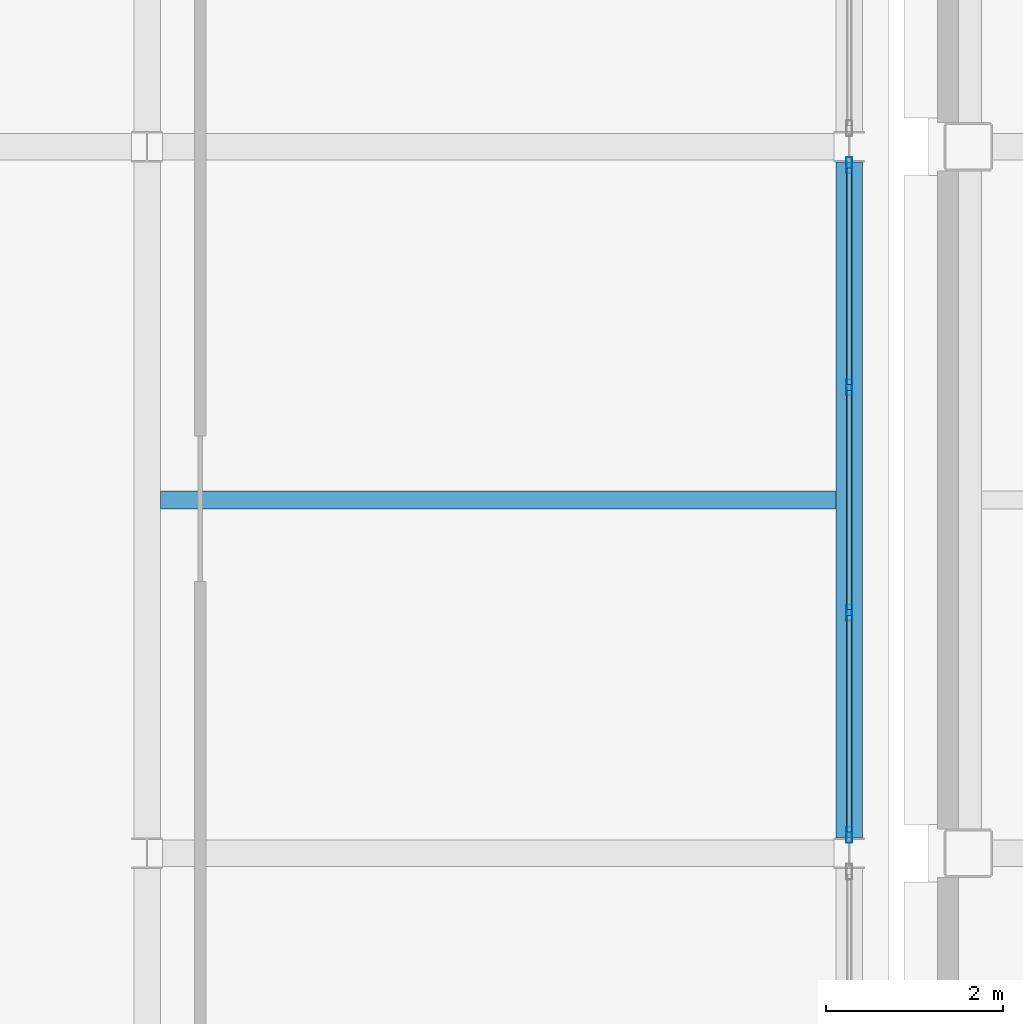
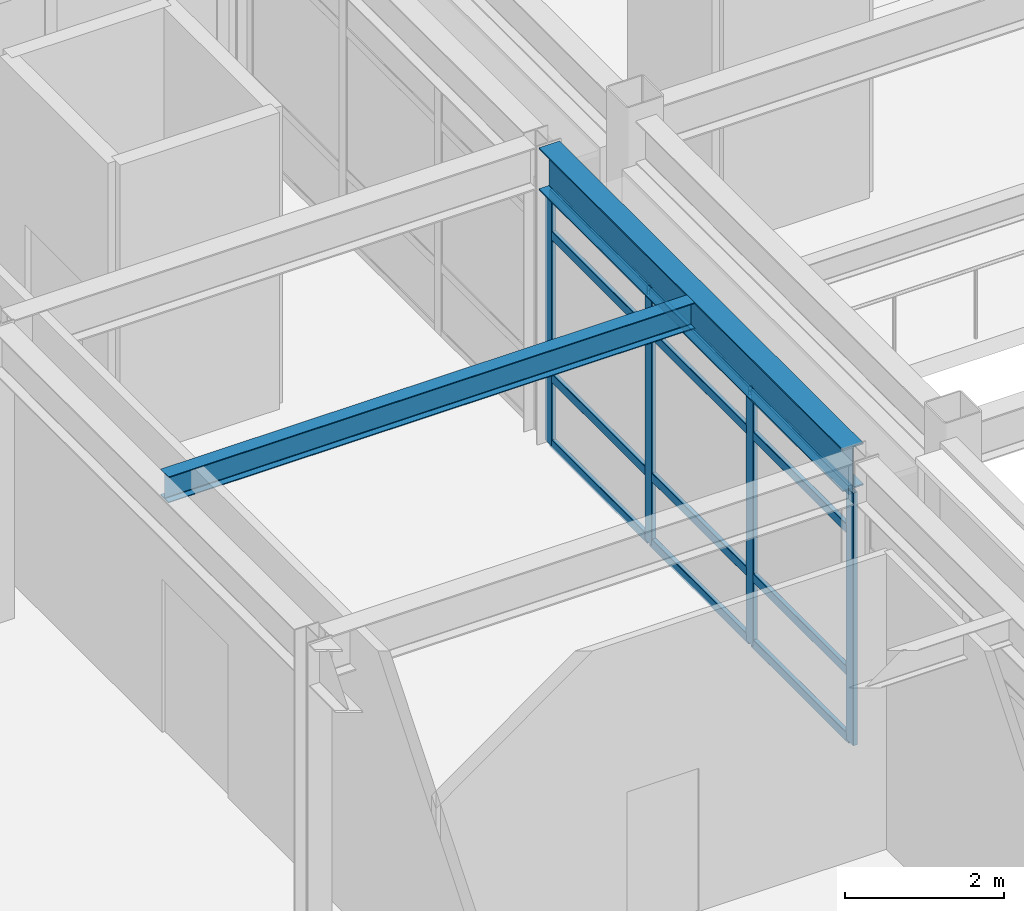
# One storey, part 20 of 154: 16 members, 2 beams, 1 element without a shape of its own.
"""IFC4 building model written with IfcOpenShell, lengths in metres."""

from ifc_helpers import new_model, si_unit, direction, frame, origin, origin_2d, place, context, subcontext, project, spatial, hollow_rectangle, i_section, extrude, material, layer, layer_set, material_profile, profile_set, type_object, element, aggregate, save


model = new_model("IFC4")

# Units and contexts
model_context = context("Model", 3, precision=1e-05, world=origin(), true_north=direction((0.0, 1.0)))
body_context = subcontext(model_context, "Body", "Model", "MODEL_VIEW")
ifc_project = project(units=[si_unit("LENGTHUNIT", "METRE"), si_unit("AREAUNIT", "SQUARE_METRE"), si_unit("VOLUMEUNIT", "CUBIC_METRE"), si_unit("PLANEANGLEUNIT", "RADIAN"), si_unit("MASSUNIT", "GRAM", prefix="KILO")], contexts=[model_context])

# Site, building, storey
site_placement = place(None, origin())
site = spatial("IfcSite", under=ifc_project, at=site_placement, CompositionType="ELEMENT")
building_placement = place(site_placement, origin())
building = spatial("IfcBuilding", under=site, at=building_placement, Name="Kazehara Bluff Congress Hotel", CompositionType="ELEMENT")
storey_placement = place(building_placement, frame((0.0, 0.0, 10.199951171875)))
storey = spatial("IfcBuildingStorey", under=building, at=storey_placement, Name="L02", CompositionType="ELEMENT", Elevation=10.199951171875)

# Curtain wall, members
ifc_material_1 = material(Name="Anodised aluminium", Category="aluminium")
ifc_layer = layer(ifc_material_1, 0.159912109375)
ifc_layer_set = layer_set([ifc_layer], Name="Anodised aluminium")
curtain_wall_type = type_object("IfcCurtainWallType", Name="TP-CW-22", PredefinedType="NOTDEFINED", material=ifc_layer_set)
curtain_wall_placement = place(storey_placement, origin())
curtain_wall = element("IfcCurtainWall", 1, at=curtain_wall_placement, inside=storey, type_object=curtain_wall_type, Name="L02 curtain wall CW-22 CW-V2-L02-X5835-2418", PredefinedType="NOTDEFINED")
ifc_material_2 = material(Name="Anodised aluminium", Category="aluminium")
ifc_material_profile_1 = material_profile(ifc_material_2, hollow_rectangle(XDim=0.06494140625, YDim=0.179931640625, WallThickness=0.00390625, InnerFilletRadius=0.00390625, OuterFilletRadius=0.008056640625, at=origin_2d()))
ifc_profile_set_1 = profile_set([ifc_material_profile_1], Name="Anodised aluminium")
member_type_1 = type_object("IfcMemberType", Name="TP-CWM-02", PredefinedType="MULLION", material=ifc_profile_set_1)
member_1_placement = place(storey_placement, frame((58.35009765625, 24.20751953125, 0.0), z_axis=(0.0, 0.0, 1.0), x_axis=(-1.0, 0.0, 0.0)))
member_1 = element("IfcMember", 2, at=member_1_placement, type_object=member_type_1, Name="CW-22 mullion 1", PredefinedType="MULLION", context=body_context, shape_type="SweptSolid", body=[
    extrude(hollow_rectangle(XDim=0.06494140625, YDim=0.179931640625, WallThickness=0.00390625, InnerFilletRadius=0.00390625, OuterFilletRadius=0.008056640625, at=origin_2d()), origin(), (0.0, 0.0, 1.0), 3.885009765625),
])
member_2_placement = place(storey_placement, frame((58.35009765625, 26.72509765625, 0.0), z_axis=(0.0, 0.0, 1.0), x_axis=(-1.0, 0.0, 0.0)))
member_2 = element("IfcMember", 3, at=member_2_placement, type_object=member_type_1, Name="CW-22 mullion 2", PredefinedType="MULLION", context=body_context, shape_type="SweptSolid", body=[
    extrude(hollow_rectangle(XDim=0.06494140625, YDim=0.179931640625, WallThickness=0.00390625, InnerFilletRadius=0.00390625, OuterFilletRadius=0.008056640625, at=origin_2d()), origin(), (0.0, 0.0, 1.0), 3.885009765625),
])
member_3_placement = place(storey_placement, frame((58.35009765625, 29.27490234375, 0.0), z_axis=(0.0, 0.0, 1.0), x_axis=(-1.0, 0.0, 0.0)))
member_3 = element("IfcMember", 4, at=member_3_placement, type_object=member_type_1, Name="CW-22 mullion 3", PredefinedType="MULLION", context=body_context, shape_type="SweptSolid", body=[
    extrude(hollow_rectangle(XDim=0.06494140625, YDim=0.179931640625, WallThickness=0.00390625, InnerFilletRadius=0.00390625, OuterFilletRadius=0.008056640625, at=origin_2d()), origin(), (0.0, 0.0, 1.0), 3.885009765625),
])
member_4_placement = place(storey_placement, frame((58.35009765625, 31.79248046875, 0.0), z_axis=(0.0, 0.0, 1.0), x_axis=(-1.0, 0.0, 0.0)))
member_4 = element("IfcMember", 5, at=member_4_placement, type_object=member_type_1, Name="CW-22 mullion 4", PredefinedType="MULLION", context=body_context, shape_type="SweptSolid", body=[
    extrude(hollow_rectangle(XDim=0.06494140625, YDim=0.179931640625, WallThickness=0.00390625, InnerFilletRadius=0.00390625, OuterFilletRadius=0.008056640625, at=origin_2d()), origin(), (0.0, 0.0, 1.0), 3.885009765625),
])
ifc_material_3 = material(Name="Anodised aluminium", Category="aluminium")
ifc_material_profile_2 = material_profile(ifc_material_3, hollow_rectangle(XDim=0.06494140625, YDim=0.139892578125, WallThickness=0.00390625, InnerFilletRadius=0.00390625, OuterFilletRadius=0.008056640625, at=origin_2d()))
ifc_profile_set_2 = profile_set([ifc_material_profile_2], Name="Anodised aluminium")
member_type_2 = type_object("IfcMemberType", Name="TP-CWT-02", PredefinedType="USERDEFINED", material=ifc_profile_set_2)
member_5_placement = place(storey_placement, frame((58.35009765625, 24.239990234375, 0.032470703125), z_axis=(0.0, 1.0, 0.0), x_axis=(-1.0, 0.0, 0.0)))
member_5 = element("IfcMember", 6, at=member_5_placement, type_object=member_type_2, Name="CW-22 transom 1.1", ObjectType="TRANSOM", PredefinedType="USERDEFINED", context=body_context, shape_type="SweptSolid", body=[
    extrude(hollow_rectangle(XDim=0.06494140625, YDim=0.139892578125, WallThickness=0.00390625, InnerFilletRadius=0.00390625, OuterFilletRadius=0.008056640625, at=origin_2d()), origin(), (0.0, 0.0, 1.0), 2.452392578125),
])
member_6_placement = place(storey_placement, frame((58.35009765625, 24.239990234375, 1.050048828125), z_axis=(0.0, 1.0, 0.0), x_axis=(-1.0, 0.0, 0.0)))
member_6 = element("IfcMember", 7, at=member_6_placement, type_object=member_type_2, Name="CW-22 transom 1.2", ObjectType="TRANSOM", PredefinedType="USERDEFINED", context=body_context, shape_type="SweptSolid", body=[
    extrude(hollow_rectangle(XDim=0.06494140625, YDim=0.139892578125, WallThickness=0.00390625, InnerFilletRadius=0.00390625, OuterFilletRadius=0.008056640625, at=origin_2d()), origin(), (0.0, 0.0, 1.0), 2.452392578125),
])
member_7_placement = place(storey_placement, frame((58.35009765625, 24.239990234375, 3.235107421875), z_axis=(0.0, 1.0, 0.0), x_axis=(-1.0, 0.0, 0.0)))
member_7 = element("IfcMember", 8, at=member_7_placement, type_object=member_type_2, Name="CW-22 transom 1.3", ObjectType="TRANSOM", PredefinedType="USERDEFINED", context=body_context, shape_type="SweptSolid", body=[
    extrude(hollow_rectangle(XDim=0.06494140625, YDim=0.139892578125, WallThickness=0.00390625, InnerFilletRadius=0.00390625, OuterFilletRadius=0.008056640625, at=origin_2d()), origin(), (0.0, 0.0, 1.0), 2.452392578125),
])
member_8_placement = place(storey_placement, frame((58.35009765625, 24.239990234375, 3.8525390625), z_axis=(0.0, 1.0, 0.0), x_axis=(-1.0, 0.0, 0.0)))
member_8 = element("IfcMember", 9, at=member_8_placement, type_object=member_type_2, Name="CW-22 transom 1.4", ObjectType="TRANSOM", PredefinedType="USERDEFINED", context=body_context, shape_type="SweptSolid", body=[
    extrude(hollow_rectangle(XDim=0.06494140625, YDim=0.139892578125, WallThickness=0.00390625, InnerFilletRadius=0.00390625, OuterFilletRadius=0.008056640625, at=origin_2d()), origin(), (0.0, 0.0, 1.0), 2.452392578125),
])
member_9_placement = place(storey_placement, frame((58.35009765625, 26.757568359375, 0.032470703125), z_axis=(0.0, 1.0, 0.0), x_axis=(-1.0, 0.0, 0.0)))
member_9 = element("IfcMember", 10, at=member_9_placement, type_object=member_type_2, Name="CW-22 transom 2.1", ObjectType="TRANSOM", PredefinedType="USERDEFINED", context=body_context, shape_type="SweptSolid", body=[
    extrude(hollow_rectangle(XDim=0.06494140625, YDim=0.139892578125, WallThickness=0.00390625, InnerFilletRadius=0.00390625, OuterFilletRadius=0.008056640625, at=origin_2d()), origin(), (0.0, 0.0, 1.0), 2.48486328125),
])
member_10_placement = place(storey_placement, frame((58.35009765625, 26.757568359375, 1.050048828125), z_axis=(0.0, 1.0, 0.0), x_axis=(-1.0, 0.0, 0.0)))
member_10 = element("IfcMember", 11, at=member_10_placement, type_object=member_type_2, Name="CW-22 transom 2.2", ObjectType="TRANSOM", PredefinedType="USERDEFINED", context=body_context, shape_type="SweptSolid", body=[
    extrude(hollow_rectangle(XDim=0.06494140625, YDim=0.139892578125, WallThickness=0.00390625, InnerFilletRadius=0.00390625, OuterFilletRadius=0.008056640625, at=origin_2d()), origin(), (0.0, 0.0, 1.0), 2.48486328125),
])
member_11_placement = place(storey_placement, frame((58.35009765625, 26.757568359375, 3.235107421875), z_axis=(0.0, 1.0, 0.0), x_axis=(-1.0, 0.0, 0.0)))
member_11 = element("IfcMember", 12, at=member_11_placement, type_object=member_type_2, Name="CW-22 transom 2.3", ObjectType="TRANSOM", PredefinedType="USERDEFINED", context=body_context, shape_type="SweptSolid", body=[
    extrude(hollow_rectangle(XDim=0.06494140625, YDim=0.139892578125, WallThickness=0.00390625, InnerFilletRadius=0.00390625, OuterFilletRadius=0.008056640625, at=origin_2d()), origin(), (0.0, 0.0, 1.0), 2.48486328125),
])
member_12_placement = place(storey_placement, frame((58.35009765625, 26.757568359375, 3.8525390625), z_axis=(0.0, 1.0, 0.0), x_axis=(-1.0, 0.0, 0.0)))
member_12 = element("IfcMember", 13, at=member_12_placement, type_object=member_type_2, Name="CW-22 transom 2.4", ObjectType="TRANSOM", PredefinedType="USERDEFINED", context=body_context, shape_type="SweptSolid", body=[
    extrude(hollow_rectangle(XDim=0.06494140625, YDim=0.139892578125, WallThickness=0.00390625, InnerFilletRadius=0.00390625, OuterFilletRadius=0.008056640625, at=origin_2d()), origin(), (0.0, 0.0, 1.0), 2.48486328125),
])
member_13_placement = place(storey_placement, frame((58.35009765625, 29.3076171875, 0.032470703125), z_axis=(0.0, 1.0, 0.0), x_axis=(-1.0, 0.0, 0.0)))
member_13 = element("IfcMember", 14, at=member_13_placement, type_object=member_type_2, Name="CW-22 transom 3.1", ObjectType="TRANSOM", PredefinedType="USERDEFINED", context=body_context, shape_type="SweptSolid", body=[
    extrude(hollow_rectangle(XDim=0.06494140625, YDim=0.139892578125, WallThickness=0.00390625, InnerFilletRadius=0.00390625, OuterFilletRadius=0.008056640625, at=origin_2d()), origin(), (0.0, 0.0, 1.0), 2.452392578125),
])
member_14_placement = place(storey_placement, frame((58.35009765625, 29.3076171875, 1.050048828125), z_axis=(0.0, 1.0, 0.0), x_axis=(-1.0, 0.0, 0.0)))
member_14 = element("IfcMember", 15, at=member_14_placement, type_object=member_type_2, Name="CW-22 transom 3.2", ObjectType="TRANSOM", PredefinedType="USERDEFINED", context=body_context, shape_type="SweptSolid", body=[
    extrude(hollow_rectangle(XDim=0.06494140625, YDim=0.139892578125, WallThickness=0.00390625, InnerFilletRadius=0.00390625, OuterFilletRadius=0.008056640625, at=origin_2d()), origin(), (0.0, 0.0, 1.0), 2.452392578125),
])
member_15_placement = place(storey_placement, frame((58.35009765625, 29.3076171875, 3.235107421875), z_axis=(0.0, 1.0, 0.0), x_axis=(-1.0, 0.0, 0.0)))
member_15 = element("IfcMember", 16, at=member_15_placement, type_object=member_type_2, Name="CW-22 transom 3.3", ObjectType="TRANSOM", PredefinedType="USERDEFINED", context=body_context, shape_type="SweptSolid", body=[
    extrude(hollow_rectangle(XDim=0.06494140625, YDim=0.139892578125, WallThickness=0.00390625, InnerFilletRadius=0.00390625, OuterFilletRadius=0.008056640625, at=origin_2d()), origin(), (0.0, 0.0, 1.0), 2.452392578125),
])
member_16_placement = place(storey_placement, frame((58.35009765625, 29.3076171875, 3.8525390625), z_axis=(0.0, 1.0, 0.0), x_axis=(-1.0, 0.0, 0.0)))
member_16 = element("IfcMember", 17, at=member_16_placement, type_object=member_type_2, Name="CW-22 transom 3.4", ObjectType="TRANSOM", PredefinedType="USERDEFINED", context=body_context, shape_type="SweptSolid", body=[
    extrude(hollow_rectangle(XDim=0.06494140625, YDim=0.139892578125, WallThickness=0.00390625, InnerFilletRadius=0.00390625, OuterFilletRadius=0.008056640625, at=origin_2d()), origin(), (0.0, 0.0, 1.0), 2.452392578125),
])
aggregate(curtain_wall, [member_1, member_2, member_3, member_4, member_5, member_6, member_7, member_8, member_9, member_10, member_11, member_12, member_13, member_14, member_15, member_16])

# Beams
ifc_material_4 = material(Name="Steel SN490B", Category="steel")
ifc_material_profile_3 = material_profile(ifc_material_4, i_section(OverallWidth=0.300048828125, OverallDepth=0.64990234375, WebThickness=0.011962890625, FlangeThickness=0.02001953125, FilletRadius=0.012939453125, at=origin_2d()))
ifc_profile_set_3 = profile_set([ifc_material_profile_3], Name="Steel SN490B")
beam_type_1 = type_object("IfcBeamType", Name="TP-G-03", PredefinedType="BEAM", material=ifc_profile_set_3)
beam_1_placement = place(storey_placement, frame((58.35009765625, 24.175048828125, 4.235107421875), z_axis=(0.0, 1.0, 0.0), x_axis=(-1.0, 0.0, 0.0)))
element("IfcBeam", 18, at=beam_1_placement, inside=storey, type_object=beam_type_1, Name="L02 girder G-03 47", PredefinedType="BEAM", context=body_context, shape_type="SweptSolid", body=[
    extrude(i_section(OverallWidth=0.300048828125, OverallDepth=0.64990234375, WebThickness=0.011962890625, FlangeThickness=0.02001953125, FilletRadius=0.012939453125, at=origin_2d()), origin(), (0.0, 0.0, 1.0), 7.64990234375),
])
ifc_material_5 = material(Name="Steel SN400B", Category="steel")
ifc_material_profile_4 = material_profile(ifc_material_5, i_section(OverallWidth=0.199951171875, OverallDepth=0.39990234375, WebThickness=0.008056640625, FlangeThickness=0.012939453125, FilletRadius=0.012939453125, at=origin_2d()))
ifc_profile_set_4 = profile_set([ifc_material_profile_4], Name="Steel SN400B")
beam_type_2 = type_object("IfcBeamType", Name="TP-J-03", PredefinedType="JOIST", material=ifc_profile_set_4)
beam_2_placement = place(storey_placement, frame((50.550048828125, 28.0, 4.360107421875), z_axis=(1.0, 0.0, 0.0), x_axis=(0.0, 1.0, 0.0)))
element("IfcBeam", 19, at=beam_2_placement, inside=storey, type_object=beam_type_2, Name="L02 secondary joist J-03 4", PredefinedType="JOIST", context=body_context, shape_type="SweptSolid", body=[
    extrude(i_section(OverallWidth=0.199951171875, OverallDepth=0.39990234375, WebThickness=0.008056640625, FlangeThickness=0.012939453125, FilletRadius=0.012939453125, at=origin_2d()), origin(), (0.0, 0.0, 1.0), 7.64990234375),
])

save(model, "model.ifc")
